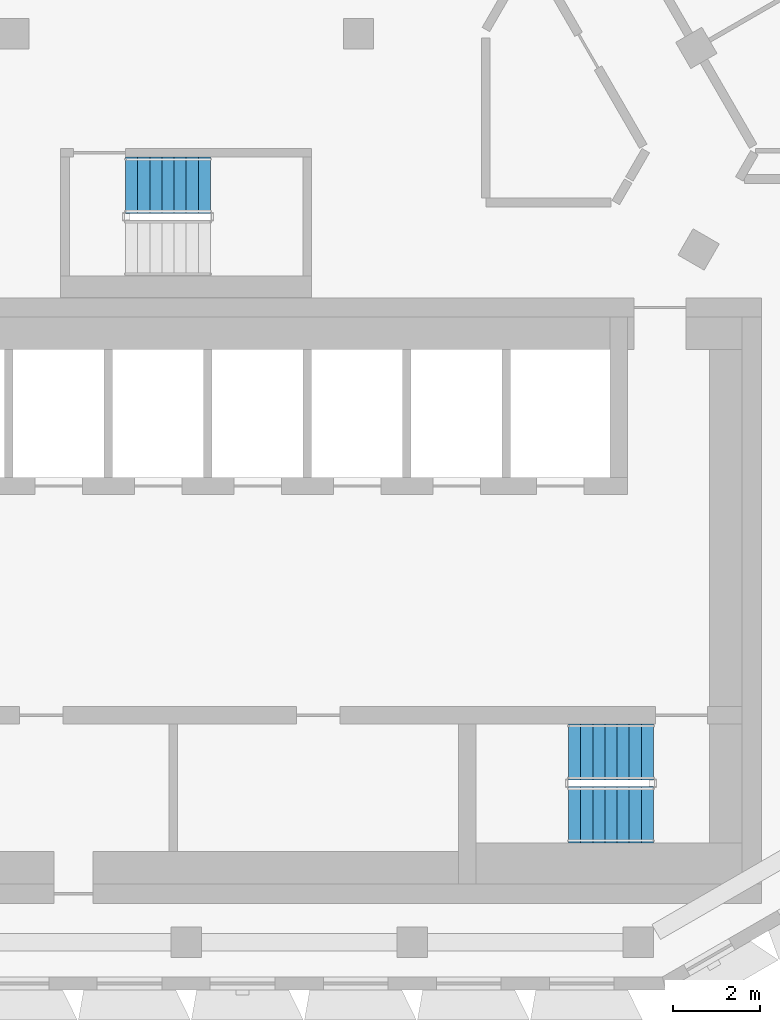
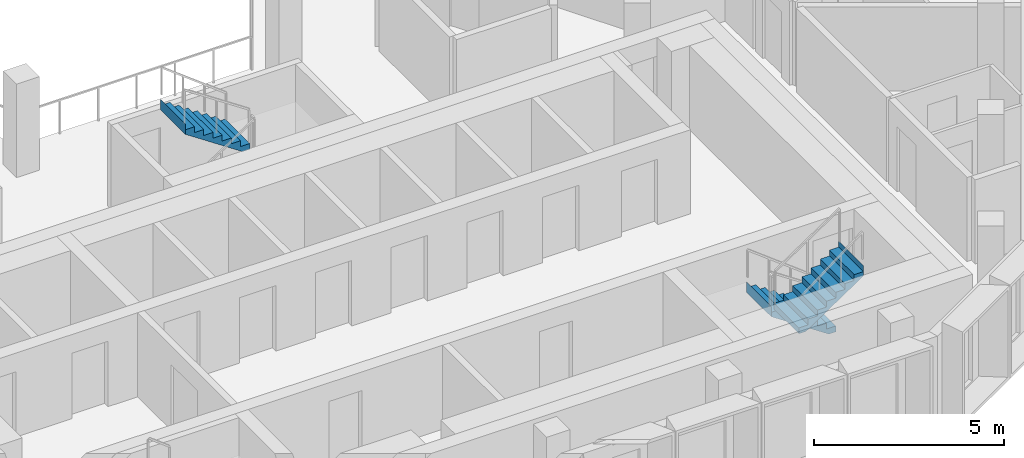
# One storey, part 11 of 16: 3 stair flights, 2 elements without a shape of their own.
"""IFC4 building model written with IfcOpenShell, lengths in metres."""

from ifc_helpers import new_model, si_unit, direction, frame, origin, place, context, subcontext, project, spatial, triangles, material, type_object, element, aggregate, save


model = new_model("IFC4")

# Units and contexts
model_context = context("Model", 3, precision=1e-05, world=origin(), true_north=direction((0.0, 1.0)))
body_context = subcontext(model_context, "Body", "Model", "MODEL_VIEW")
ifc_project = project(units=[si_unit("LENGTHUNIT", "METRE"), si_unit("AREAUNIT", "SQUARE_METRE"), si_unit("VOLUMEUNIT", "CUBIC_METRE"), si_unit("PLANEANGLEUNIT", "RADIAN"), si_unit("MASSUNIT", "GRAM", prefix="KILO")], contexts=[model_context])

# Site, building, storey
site_placement = place(None, origin())
site = spatial("IfcSite", under=ifc_project, at=site_placement, CompositionType="ELEMENT")
building_placement = place(site_placement, origin())
building = spatial("IfcBuilding", under=site, at=building_placement, Name="Beryl Residences", CompositionType="ELEMENT")
storey_placement = place(building_placement, frame((0.0, 0.0, 214.800048828125)))
storey = spatial("IfcBuildingStorey", under=building, at=storey_placement, Name="L66", CompositionType="ELEMENT", Elevation=214.800048828125)

# Stair, stair flights
ifc_material_1 = material(Name="Concrete C40/50", Category="concrete")
stair_type = type_object("IfcStairType", Name="ST1 protected exit stair, half-turn, 1300 mm flights", PredefinedType="HALF_TURN_STAIR", material=ifc_material_1)
stair_1_placement = place(storey_placement, origin())
stair_1 = element("IfcStair", 1, at=stair_1_placement, inside=storey, type_object=stair_type, Name="L66 PROTECTED EXIT STAIR ST-3", PredefinedType="HALF_TURN_STAIR")
ifc_material_2 = material(Name="Concrete C40/50", Category="concrete")
stair_flight_type = type_object("IfcStairFlightType", Name="SF1 stair flight 1300 mm", PredefinedType="STRAIGHT", material=ifc_material_2)
stair_flight_1_placement = place(storey_placement, frame((10.800048828125, -15.5, 0.0), z_axis=(0.0, 0.0, 1.0), x_axis=(-1.0, 0.0, 0.0)))
stair_flight_1 = element("IfcStairFlight", 2, at=stair_flight_1_placement, type_object=stair_flight_type, Name="ST-3 flight 1", NumberOfRisers=8, NumberOfTreads=7, PredefinedType="STRAIGHT", RiserHeight=0.1875, TreadLength=0.28, context=body_context, shape_type="Tessellation", body=[
    triangles([(0.0, -0.64990234375, 0.0), (0.0, -0.324951171875, 0.0), (0.0, 0.0, 0.0), (0.0, 0.324951171875, 0.0), (0.0, 0.64990234375, 0.0), (0.0, -0.64990234375, 0.1875), (0.0, -0.324951171875, 0.1875), (0.0, 0.0, 0.1875), (0.0, 0.324951171875, 0.1875), (0.0, 0.64990234375, 0.1875), (0.280029296875, -0.64990234375, 0.1875), (0.280029296875, -0.324951171875, 0.1875), (0.280029296875, 0.0, 0.1875), (0.280029296875, 0.324951171875, 0.1875), (0.280029296875, 0.64990234375, 0.1875), (0.280029296875, -0.64990234375, 0.375), (0.280029296875, -0.324951171875, 0.375), (0.280029296875, 0.0, 0.375), (0.280029296875, 0.324951171875, 0.375), (0.280029296875, 0.64990234375, 0.375), (0.56005859375, -0.64990234375, 0.375), (0.56005859375, -0.324951171875, 0.375), (0.56005859375, 0.0, 0.375), (0.56005859375, 0.324951171875, 0.375), (0.56005859375, 0.64990234375, 0.375), (0.56005859375, -0.64990234375, 0.5625), (0.56005859375, -0.324951171875, 0.5625), (0.56005859375, 0.0, 0.5625), (0.56005859375, 0.324951171875, 0.5625), (0.56005859375, 0.64990234375, 0.5625), (0.840087890625, -0.64990234375, 0.5625), (0.840087890625, -0.324951171875, 0.5625), (0.840087890625, 0.0, 0.5625), (0.840087890625, 0.324951171875, 0.5625), (0.840087890625, 0.64990234375, 0.5625), (0.840087890625, -0.64990234375, 0.75), (0.840087890625, -0.324951171875, 0.75), (0.840087890625, 0.0, 0.75), (0.840087890625, 0.324951171875, 0.75), (0.840087890625, 0.64990234375, 0.75), (1.1201171875, -0.64990234375, 0.75), (1.1201171875, -0.324951171875, 0.75), (1.1201171875, 0.0, 0.75), (1.1201171875, 0.324951171875, 0.75), (1.1201171875, 0.64990234375, 0.75), (1.1201171875, -0.64990234375, 0.9375), (1.1201171875, -0.324951171875, 0.9375), (1.1201171875, 0.0, 0.9375), (1.1201171875, 0.324951171875, 0.9375), (1.1201171875, 0.64990234375, 0.9375), (1.39990234375, -0.64990234375, 0.9375), (1.39990234375, -0.324951171875, 0.9375), (1.39990234375, 0.0, 0.9375), (1.39990234375, 0.324951171875, 0.9375), (1.39990234375, 0.64990234375, 0.9375), (1.39990234375, -0.64990234375, 1.125), (1.39990234375, -0.324951171875, 1.125), (1.39990234375, 0.0, 1.125), (1.39990234375, 0.324951171875, 1.125), (1.39990234375, 0.64990234375, 1.125), (1.679931640625, -0.64990234375, 1.125), (1.679931640625, -0.324951171875, 1.125), (1.679931640625, 0.0, 1.125), (1.679931640625, 0.324951171875, 1.125), (1.679931640625, 0.64990234375, 1.125), (1.679931640625, -0.64990234375, 1.3125), (1.679931640625, -0.324951171875, 1.3125), (1.679931640625, 0.0, 1.3125), (1.679931640625, 0.324951171875, 1.3125), (1.679931640625, 0.64990234375, 1.3125), (1.9599609375, -0.64990234375, 1.3125), (1.9599609375, -0.324951171875, 1.3125), (1.9599609375, 0.0, 1.3125), (1.9599609375, 0.324951171875, 1.3125), (1.9599609375, 0.64990234375, 1.3125), (1.9599609375, -0.64990234375, 1.5), (1.9599609375, -0.324951171875, 1.5), (1.9599609375, 0.0, 1.5), (1.9599609375, 0.324951171875, 1.5), (1.9599609375, 0.64990234375, 1.5), (1.9609375, -0.64990234375, 1.5), (1.9609375, -0.324951171875, 1.5), (1.9609375, 0.0, 1.5), (1.9609375, 0.324951171875, 1.5), (1.9609375, 0.64990234375, 1.5), (1.9609375, -0.64990234375, 1.16796875), (1.9609375, -0.324951171875, 1.16796875), (1.9609375, 0.0, 1.16796875), (1.9609375, 0.324951171875, 1.16796875), (1.9609375, 0.64990234375, 1.16796875), (0.216796875, -0.64990234375, 0.0), (0.216796875, -0.324951171875, 0.0), (0.216796875, 0.0, 0.0), (0.216796875, 0.324951171875, 0.0), (0.216796875, 0.64990234375, 0.0)], [[1, 6, 7], [1, 7, 2], [2, 7, 8], [2, 8, 3], [3, 8, 9], [3, 9, 4], [4, 9, 10], [4, 10, 5], [6, 11, 12], [6, 12, 7], [7, 12, 13], [7, 13, 8], [8, 13, 14], [8, 14, 9], [9, 14, 15], [9, 15, 10], [11, 16, 17], [11, 17, 12], [12, 17, 18], [12, 18, 13], [13, 18, 19], [13, 19, 14], [14, 19, 20], [14, 20, 15], [16, 21, 22], [16, 22, 17], [17, 22, 23], [17, 23, 18], [18, 23, 24], [18, 24, 19], [19, 24, 25], [19, 25, 20], [21, 26, 27], [21, 27, 22], [22, 27, 28], [22, 28, 23], [23, 28, 29], [23, 29, 24], [24, 29, 30], [24, 30, 25], [26, 31, 32], [26, 32, 27], [27, 32, 33], [27, 33, 28], [28, 33, 34], [28, 34, 29], [29, 34, 35], [29, 35, 30], [31, 36, 37], [31, 37, 32], [32, 37, 38], [32, 38, 33], [33, 38, 39], [33, 39, 34], [34, 39, 40], [34, 40, 35], [36, 41, 42], [36, 42, 37], [37, 42, 43], [37, 43, 38], [38, 43, 44], [38, 44, 39], [39, 44, 45], [39, 45, 40], [41, 46, 47], [41, 47, 42], [42, 47, 48], [42, 48, 43], [43, 48, 49], [43, 49, 44], [44, 49, 50], [44, 50, 45], [46, 51, 52], [46, 52, 47], [47, 52, 53], [47, 53, 48], [48, 53, 54], [48, 54, 49], [49, 54, 55], [49, 55, 50], [51, 56, 57], [51, 57, 52], [52, 57, 58], [52, 58, 53], [53, 58, 59], [53, 59, 54], [54, 59, 60], [54, 60, 55], [56, 61, 62], [56, 62, 57], [57, 62, 63], [57, 63, 58], [58, 63, 64], [58, 64, 59], [59, 64, 65], [59, 65, 60], [61, 66, 67], [61, 67, 62], [62, 67, 68], [62, 68, 63], [63, 68, 69], [63, 69, 64], [64, 69, 70], [64, 70, 65], [66, 71, 72], [66, 72, 67], [67, 72, 73], [67, 73, 68], [68, 73, 74], [68, 74, 69], [69, 74, 75], [69, 75, 70], [71, 76, 77], [71, 77, 72], [72, 77, 78], [72, 78, 73], [73, 78, 79], [73, 79, 74], [74, 79, 80], [74, 80, 75], [76, 81, 82], [76, 82, 77], [77, 82, 83], [77, 83, 78], [78, 83, 84], [78, 84, 79], [79, 84, 85], [79, 85, 80], [81, 86, 87], [81, 87, 82], [82, 87, 88], [82, 88, 83], [83, 88, 89], [83, 89, 84], [84, 89, 90], [84, 90, 85], [86, 91, 92], [86, 92, 87], [87, 92, 93], [87, 93, 88], [88, 93, 94], [88, 94, 89], [89, 94, 95], [89, 95, 90], [91, 1, 2], [91, 2, 92], [92, 2, 3], [92, 3, 93], [93, 3, 4], [93, 4, 94], [94, 4, 5], [94, 5, 95], [1, 91, 86], [5, 90, 95], [86, 81, 76], [90, 80, 85], [86, 76, 71], [90, 75, 80], [86, 71, 66], [90, 70, 75], [86, 66, 61], [90, 65, 70], [61, 56, 51], [65, 55, 60], [86, 61, 51], [90, 55, 65], [51, 46, 41], [55, 45, 50], [86, 51, 41], [90, 45, 55], [41, 36, 31], [45, 35, 40], [86, 41, 31], [90, 35, 45], [31, 26, 21], [35, 25, 30], [86, 31, 21], [90, 25, 35], [21, 16, 11], [25, 15, 20], [86, 21, 11], [90, 15, 25], [1, 86, 11], [5, 15, 90], [11, 6, 1], [15, 5, 10]], closed=True),
])
stair_flight_2_placement = place(storey_placement, frame((8.840087890625, -16.949951171875, 1.5), z_axis=(0.0, 0.0, 1.0), x_axis=(1.0, 0.0, 0.0)))
stair_flight_2 = element("IfcStairFlight", 3, at=stair_flight_2_placement, type_object=stair_flight_type, Name="ST-3 flight 2", NumberOfRisers=8, NumberOfTreads=7, PredefinedType="STRAIGHT", RiserHeight=0.1875, TreadLength=0.28, context=body_context, shape_type="Tessellation", body=[
    triangles([(0.0, -0.64990234375, 0.0), (0.0, -0.324951171875, 0.0), (0.0, 0.0, 0.0), (0.0, 0.324951171875, 0.0), (0.0, 0.64990234375, 0.0), (0.0, -0.64990234375, 0.1875), (0.0, -0.324951171875, 0.1875), (0.0, 0.0, 0.1875), (0.0, 0.324951171875, 0.1875), (0.0, 0.64990234375, 0.1875), (0.280029296875, -0.64990234375, 0.1875), (0.280029296875, -0.324951171875, 0.1875), (0.280029296875, 0.0, 0.1875), (0.280029296875, 0.324951171875, 0.1875), (0.280029296875, 0.64990234375, 0.1875), (0.280029296875, -0.64990234375, 0.375), (0.280029296875, -0.324951171875, 0.375), (0.280029296875, 0.0, 0.375), (0.280029296875, 0.324951171875, 0.375), (0.280029296875, 0.64990234375, 0.375), (0.56005859375, -0.64990234375, 0.375), (0.56005859375, -0.324951171875, 0.375), (0.56005859375, 0.0, 0.375), (0.56005859375, 0.324951171875, 0.375), (0.56005859375, 0.64990234375, 0.375), (0.56005859375, -0.64990234375, 0.5625), (0.56005859375, -0.324951171875, 0.5625), (0.56005859375, 0.0, 0.5625), (0.56005859375, 0.324951171875, 0.5625), (0.56005859375, 0.64990234375, 0.5625), (0.840087890625, -0.64990234375, 0.5625), (0.840087890625, -0.324951171875, 0.5625), (0.840087890625, 0.0, 0.5625), (0.840087890625, 0.324951171875, 0.5625), (0.840087890625, 0.64990234375, 0.5625), (0.840087890625, -0.64990234375, 0.75), (0.840087890625, -0.324951171875, 0.75), (0.840087890625, 0.0, 0.75), (0.840087890625, 0.324951171875, 0.75), (0.840087890625, 0.64990234375, 0.75), (1.1201171875, -0.64990234375, 0.75), (1.1201171875, -0.324951171875, 0.75), (1.1201171875, 0.0, 0.75), (1.1201171875, 0.324951171875, 0.75), (1.1201171875, 0.64990234375, 0.75), (1.1201171875, -0.64990234375, 0.9375), (1.1201171875, -0.324951171875, 0.9375), (1.1201171875, 0.0, 0.9375), (1.1201171875, 0.324951171875, 0.9375), (1.1201171875, 0.64990234375, 0.9375), (1.39990234375, -0.64990234375, 0.9375), (1.39990234375, -0.324951171875, 0.9375), (1.39990234375, 0.0, 0.9375), (1.39990234375, 0.324951171875, 0.9375), (1.39990234375, 0.64990234375, 0.9375), (1.39990234375, -0.64990234375, 1.125), (1.39990234375, -0.324951171875, 1.125), (1.39990234375, 0.0, 1.125), (1.39990234375, 0.324951171875, 1.125), (1.39990234375, 0.64990234375, 1.125), (1.679931640625, -0.64990234375, 1.125), (1.679931640625, -0.324951171875, 1.125), (1.679931640625, 0.0, 1.125), (1.679931640625, 0.324951171875, 1.125), (1.679931640625, 0.64990234375, 1.125), (1.679931640625, -0.64990234375, 1.3125), (1.679931640625, -0.324951171875, 1.3125), (1.679931640625, 0.0, 1.3125), (1.679931640625, 0.324951171875, 1.3125), (1.679931640625, 0.64990234375, 1.3125), (1.9599609375, -0.64990234375, 1.3125), (1.9599609375, -0.324951171875, 1.3125), (1.9599609375, 0.0, 1.3125), (1.9599609375, 0.324951171875, 1.3125), (1.9599609375, 0.64990234375, 1.3125), (1.9599609375, -0.64990234375, 1.5), (1.9599609375, -0.324951171875, 1.5), (1.9599609375, 0.0, 1.5), (1.9599609375, 0.324951171875, 1.5), (1.9599609375, 0.64990234375, 1.5), (1.9609375, -0.64990234375, 1.5), (1.9609375, -0.324951171875, 1.5), (1.9609375, 0.0, 1.5), (1.9609375, 0.324951171875, 1.5), (1.9609375, 0.64990234375, 1.5), (1.9609375, -0.64990234375, 1.16796875), (1.9609375, -0.324951171875, 1.16796875), (1.9609375, 0.0, 1.16796875), (1.9609375, 0.324951171875, 1.16796875), (1.9609375, 0.64990234375, 1.16796875), (0.216796875, -0.64990234375, 0.0), (0.216796875, -0.324951171875, 0.0), (0.216796875, 0.0, 0.0), (0.216796875, 0.324951171875, 0.0), (0.216796875, 0.64990234375, 0.0)], [[1, 6, 7], [1, 7, 2], [2, 7, 8], [2, 8, 3], [3, 8, 9], [3, 9, 4], [4, 9, 10], [4, 10, 5], [6, 11, 12], [6, 12, 7], [7, 12, 13], [7, 13, 8], [8, 13, 14], [8, 14, 9], [9, 14, 15], [9, 15, 10], [11, 16, 17], [11, 17, 12], [12, 17, 18], [12, 18, 13], [13, 18, 19], [13, 19, 14], [14, 19, 20], [14, 20, 15], [16, 21, 22], [16, 22, 17], [17, 22, 23], [17, 23, 18], [18, 23, 24], [18, 24, 19], [19, 24, 25], [19, 25, 20], [21, 26, 27], [21, 27, 22], [22, 27, 28], [22, 28, 23], [23, 28, 29], [23, 29, 24], [24, 29, 30], [24, 30, 25], [26, 31, 32], [26, 32, 27], [27, 32, 33], [27, 33, 28], [28, 33, 34], [28, 34, 29], [29, 34, 35], [29, 35, 30], [31, 36, 37], [31, 37, 32], [32, 37, 38], [32, 38, 33], [33, 38, 39], [33, 39, 34], [34, 39, 40], [34, 40, 35], [36, 41, 42], [36, 42, 37], [37, 42, 43], [37, 43, 38], [38, 43, 44], [38, 44, 39], [39, 44, 45], [39, 45, 40], [41, 46, 47], [41, 47, 42], [42, 47, 48], [42, 48, 43], [43, 48, 49], [43, 49, 44], [44, 49, 50], [44, 50, 45], [46, 51, 52], [46, 52, 47], [47, 52, 53], [47, 53, 48], [48, 53, 54], [48, 54, 49], [49, 54, 55], [49, 55, 50], [51, 56, 57], [51, 57, 52], [52, 57, 58], [52, 58, 53], [53, 58, 59], [53, 59, 54], [54, 59, 60], [54, 60, 55], [56, 61, 62], [56, 62, 57], [57, 62, 63], [57, 63, 58], [58, 63, 64], [58, 64, 59], [59, 64, 65], [59, 65, 60], [61, 66, 67], [61, 67, 62], [62, 67, 68], [62, 68, 63], [63, 68, 69], [63, 69, 64], [64, 69, 70], [64, 70, 65], [66, 71, 72], [66, 72, 67], [67, 72, 73], [67, 73, 68], [68, 73, 74], [68, 74, 69], [69, 74, 75], [69, 75, 70], [71, 76, 77], [71, 77, 72], [72, 77, 78], [72, 78, 73], [73, 78, 79], [73, 79, 74], [74, 79, 80], [74, 80, 75], [76, 81, 82], [76, 82, 77], [77, 82, 83], [77, 83, 78], [78, 83, 84], [78, 84, 79], [79, 84, 85], [79, 85, 80], [81, 86, 87], [81, 87, 82], [82, 87, 88], [82, 88, 83], [83, 88, 89], [83, 89, 84], [84, 89, 90], [84, 90, 85], [86, 91, 92], [86, 92, 87], [87, 92, 93], [87, 93, 88], [88, 93, 94], [88, 94, 89], [89, 94, 95], [89, 95, 90], [91, 1, 2], [91, 2, 92], [92, 2, 3], [92, 3, 93], [93, 3, 4], [93, 4, 94], [94, 4, 5], [94, 5, 95], [1, 91, 86], [5, 90, 95], [86, 81, 76], [90, 80, 85], [86, 76, 71], [90, 75, 80], [86, 71, 66], [90, 70, 75], [86, 66, 61], [90, 65, 70], [61, 56, 51], [65, 55, 60], [86, 61, 51], [90, 55, 65], [51, 46, 41], [55, 45, 50], [86, 51, 41], [90, 45, 55], [41, 36, 31], [45, 35, 40], [86, 41, 31], [90, 35, 45], [31, 26, 21], [35, 25, 30], [86, 31, 21], [90, 25, 35], [21, 16, 11], [25, 15, 20], [86, 21, 11], [90, 15, 25], [1, 86, 11], [5, 15, 90], [11, 6, 1], [15, 5, 10]], closed=True),
])
aggregate(stair_1, [stair_flight_1, stair_flight_2])

# Stair, stair flight
stair_2_placement = place(storey_placement, origin())
stair_2 = element("IfcStair", 4, at=stair_2_placement, inside=storey, type_object=stair_type, Name="L66 PROTECTED EXIT STAIR ST-4", PredefinedType="HALF_TURN_STAIR")
stair_flight_3_placement = place(storey_placement, frame((0.56005859375, -2.39990234375, 1.5), z_axis=(0.0, 0.0, 1.0), x_axis=(-1.0, 0.0, 0.0)))
stair_flight_3 = element("IfcStairFlight", 5, at=stair_flight_3_placement, type_object=stair_flight_type, Name="ST-4 flight 2", NumberOfRisers=8, NumberOfTreads=7, PredefinedType="STRAIGHT", RiserHeight=0.1875, TreadLength=0.28, context=body_context, shape_type="Tessellation", body=[
    triangles([(0.0, -0.64990234375, 0.0), (0.0, -0.324951171875, 0.0), (0.0, 0.0, 0.0), (0.0, 0.324951171875, 0.0), (0.0, 0.64990234375, 0.0), (0.0, -0.64990234375, 0.1875), (0.0, -0.324951171875, 0.1875), (0.0, 0.0, 0.1875), (0.0, 0.324951171875, 0.1875), (0.0, 0.64990234375, 0.1875), (0.280029296875, -0.64990234375, 0.1875), (0.280029296875, -0.324951171875, 0.1875), (0.280029296875, 0.0, 0.1875), (0.280029296875, 0.324951171875, 0.1875), (0.280029296875, 0.64990234375, 0.1875), (0.280029296875, -0.64990234375, 0.375), (0.280029296875, -0.324951171875, 0.375), (0.280029296875, 0.0, 0.375), (0.280029296875, 0.324951171875, 0.375), (0.280029296875, 0.64990234375, 0.375), (0.56005859375, -0.64990234375, 0.375), (0.56005859375, -0.324951171875, 0.375), (0.56005859375, 0.0, 0.375), (0.56005859375, 0.324951171875, 0.375), (0.56005859375, 0.64990234375, 0.375), (0.56005859375, -0.64990234375, 0.5625), (0.56005859375, -0.324951171875, 0.5625), (0.56005859375, 0.0, 0.5625), (0.56005859375, 0.324951171875, 0.5625), (0.56005859375, 0.64990234375, 0.5625), (0.840087890625, -0.64990234375, 0.5625), (0.840087890625, -0.324951171875, 0.5625), (0.840087890625, 0.0, 0.5625), (0.840087890625, 0.324951171875, 0.5625), (0.840087890625, 0.64990234375, 0.5625), (0.840087890625, -0.64990234375, 0.75), (0.840087890625, -0.324951171875, 0.75), (0.840087890625, 0.0, 0.75), (0.840087890625, 0.324951171875, 0.75), (0.840087890625, 0.64990234375, 0.75), (1.1201171875, -0.64990234375, 0.75), (1.1201171875, -0.324951171875, 0.75), (1.1201171875, 0.0, 0.75), (1.1201171875, 0.324951171875, 0.75), (1.1201171875, 0.64990234375, 0.75), (1.1201171875, -0.64990234375, 0.9375), (1.1201171875, -0.324951171875, 0.9375), (1.1201171875, 0.0, 0.9375), (1.1201171875, 0.324951171875, 0.9375), (1.1201171875, 0.64990234375, 0.9375), (1.39990234375, -0.64990234375, 0.9375), (1.39990234375, -0.324951171875, 0.9375), (1.39990234375, 0.0, 0.9375), (1.39990234375, 0.324951171875, 0.9375), (1.39990234375, 0.64990234375, 0.9375), (1.39990234375, -0.64990234375, 1.125), (1.39990234375, -0.324951171875, 1.125), (1.39990234375, 0.0, 1.125), (1.39990234375, 0.324951171875, 1.125), (1.39990234375, 0.64990234375, 1.125), (1.679931640625, -0.64990234375, 1.125), (1.679931640625, -0.324951171875, 1.125), (1.679931640625, 0.0, 1.125), (1.679931640625, 0.324951171875, 1.125), (1.679931640625, 0.64990234375, 1.125), (1.679931640625, -0.64990234375, 1.3125), (1.679931640625, -0.324951171875, 1.3125), (1.679931640625, 0.0, 1.3125), (1.679931640625, 0.324951171875, 1.3125), (1.679931640625, 0.64990234375, 1.3125), (1.9599609375, -0.64990234375, 1.3125), (1.9599609375, -0.324951171875, 1.3125), (1.9599609375, 0.0, 1.3125), (1.9599609375, 0.324951171875, 1.3125), (1.9599609375, 0.64990234375, 1.3125), (1.9599609375, -0.64990234375, 1.5), (1.9599609375, -0.324951171875, 1.5), (1.9599609375, 0.0, 1.5), (1.9599609375, 0.324951171875, 1.5), (1.9599609375, 0.64990234375, 1.5), (1.9609375, -0.64990234375, 1.5), (1.9609375, -0.324951171875, 1.5), (1.9609375, 0.0, 1.5), (1.9609375, 0.324951171875, 1.5), (1.9609375, 0.64990234375, 1.5), (1.9609375, -0.64990234375, 1.16796875), (1.9609375, -0.324951171875, 1.16796875), (1.9609375, 0.0, 1.16796875), (1.9609375, 0.324951171875, 1.16796875), (1.9609375, 0.64990234375, 1.16796875), (0.216796875, -0.64990234375, 0.0), (0.216796875, -0.324951171875, 0.0), (0.216796875, 0.0, 0.0), (0.216796875, 0.324951171875, 0.0), (0.216796875, 0.64990234375, 0.0)], [[1, 6, 7], [1, 7, 2], [2, 7, 8], [2, 8, 3], [3, 8, 9], [3, 9, 4], [4, 9, 10], [4, 10, 5], [6, 11, 12], [6, 12, 7], [7, 12, 13], [7, 13, 8], [8, 13, 14], [8, 14, 9], [9, 14, 15], [9, 15, 10], [11, 16, 17], [11, 17, 12], [12, 17, 18], [12, 18, 13], [13, 18, 19], [13, 19, 14], [14, 19, 20], [14, 20, 15], [16, 21, 22], [16, 22, 17], [17, 22, 23], [17, 23, 18], [18, 23, 24], [18, 24, 19], [19, 24, 25], [19, 25, 20], [21, 26, 27], [21, 27, 22], [22, 27, 28], [22, 28, 23], [23, 28, 29], [23, 29, 24], [24, 29, 30], [24, 30, 25], [26, 31, 32], [26, 32, 27], [27, 32, 33], [27, 33, 28], [28, 33, 34], [28, 34, 29], [29, 34, 35], [29, 35, 30], [31, 36, 37], [31, 37, 32], [32, 37, 38], [32, 38, 33], [33, 38, 39], [33, 39, 34], [34, 39, 40], [34, 40, 35], [36, 41, 42], [36, 42, 37], [37, 42, 43], [37, 43, 38], [38, 43, 44], [38, 44, 39], [39, 44, 45], [39, 45, 40], [41, 46, 47], [41, 47, 42], [42, 47, 48], [42, 48, 43], [43, 48, 49], [43, 49, 44], [44, 49, 50], [44, 50, 45], [46, 51, 52], [46, 52, 47], [47, 52, 53], [47, 53, 48], [48, 53, 54], [48, 54, 49], [49, 54, 55], [49, 55, 50], [51, 56, 57], [51, 57, 52], [52, 57, 58], [52, 58, 53], [53, 58, 59], [53, 59, 54], [54, 59, 60], [54, 60, 55], [56, 61, 62], [56, 62, 57], [57, 62, 63], [57, 63, 58], [58, 63, 64], [58, 64, 59], [59, 64, 65], [59, 65, 60], [61, 66, 67], [61, 67, 62], [62, 67, 68], [62, 68, 63], [63, 68, 69], [63, 69, 64], [64, 69, 70], [64, 70, 65], [66, 71, 72], [66, 72, 67], [67, 72, 73], [67, 73, 68], [68, 73, 74], [68, 74, 69], [69, 74, 75], [69, 75, 70], [71, 76, 77], [71, 77, 72], [72, 77, 78], [72, 78, 73], [73, 78, 79], [73, 79, 74], [74, 79, 80], [74, 80, 75], [76, 81, 82], [76, 82, 77], [77, 82, 83], [77, 83, 78], [78, 83, 84], [78, 84, 79], [79, 84, 85], [79, 85, 80], [81, 86, 87], [81, 87, 82], [82, 87, 88], [82, 88, 83], [83, 88, 89], [83, 89, 84], [84, 89, 90], [84, 90, 85], [86, 91, 92], [86, 92, 87], [87, 92, 93], [87, 93, 88], [88, 93, 94], [88, 94, 89], [89, 94, 95], [89, 95, 90], [91, 1, 2], [91, 2, 92], [92, 2, 3], [92, 3, 93], [93, 3, 4], [93, 4, 94], [94, 4, 5], [94, 5, 95], [1, 91, 86], [5, 90, 95], [86, 81, 76], [90, 80, 85], [86, 76, 71], [90, 75, 80], [86, 71, 66], [90, 70, 75], [86, 66, 61], [90, 65, 70], [61, 56, 51], [65, 55, 60], [86, 61, 51], [90, 55, 65], [51, 46, 41], [55, 45, 50], [86, 51, 41], [90, 45, 55], [41, 36, 31], [45, 35, 40], [86, 41, 31], [90, 35, 45], [31, 26, 21], [35, 25, 30], [86, 31, 21], [90, 25, 35], [21, 16, 11], [25, 15, 20], [86, 21, 11], [90, 15, 25], [1, 86, 11], [5, 15, 90], [11, 6, 1], [15, 5, 10]], closed=True),
])
aggregate(stair_2, [stair_flight_3])

save(model, "model.ifc")
